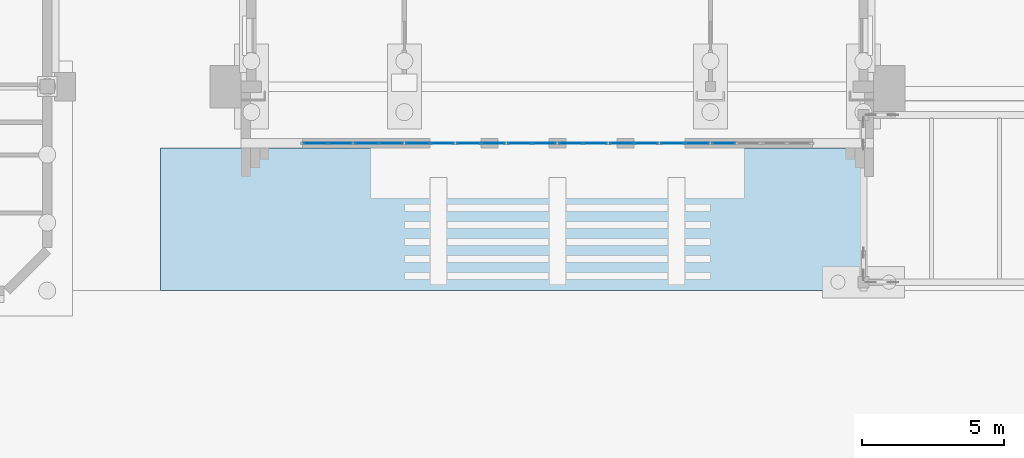
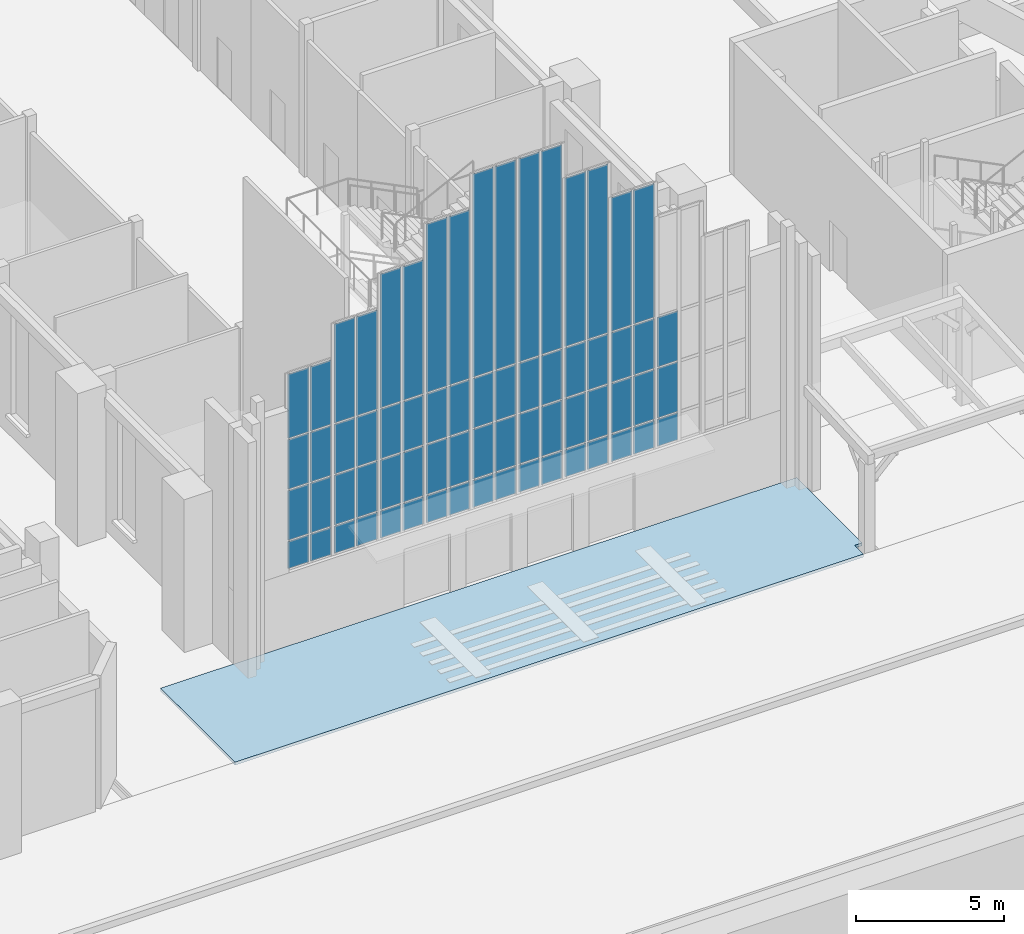
# One storey, part 22 of 84: 67 plates, 1 slab, 9 elements without a shape of their own.
"""IFC4 building model written with IfcOpenShell, lengths in metres."""

from ifc_helpers import new_model, si_unit, direction, frame, origin, origin_2d, place, context, subcontext, project, spatial, polyline, rectangle, outline, extrude, material, layer, layer_set, type_object, element, aggregate, save


model = new_model("IFC4")

# Units and contexts
model_context = context("Model", 3, precision=1e-05, world=origin(), true_north=direction((0.0, 1.0)))
body_context = subcontext(model_context, "Body", "Model", "MODEL_VIEW")
ifc_project = project(units=[si_unit("LENGTHUNIT", "METRE"), si_unit("AREAUNIT", "SQUARE_METRE"), si_unit("VOLUMEUNIT", "CUBIC_METRE"), si_unit("PLANEANGLEUNIT", "RADIAN"), si_unit("MASSUNIT", "GRAM", prefix="KILO")], contexts=[model_context])

# Site, building, storey
site_placement = place(None, origin())
site = spatial("IfcSite", under=ifc_project, at=site_placement, CompositionType="ELEMENT")
building_placement = place(site_placement, origin())
building = spatial("IfcBuilding", under=site, at=building_placement, Name="Mazhai Court Health Centre", CompositionType="ELEMENT")
storey_placement = place(building_placement, origin())
storey = spatial("IfcBuildingStorey", under=building, at=storey_placement, Name="L00", CompositionType="ELEMENT", Elevation=0.0)

# Curtain wall, plates
ifc_material_1 = material(Name="Teak timber frame, glazed", Category="wood")
ifc_layer_1 = layer(ifc_material_1, 0.10009765625)
ifc_layer_set_1 = layer_set([ifc_layer_1], Name="CURTAIN WALL TIMBER 900")
curtain_wall_type = type_object("IfcCurtainWallType", Name="CURTAIN WALL TIMBER 900", PredefinedType="NOTDEFINED", material=ifc_layer_set_1)
curtain_wall_1_placement = place(storey_placement, origin())
curtain_wall_1 = element("IfcCurtainWall", 1, at=curtain_wall_1_placement, inside=storey, type_object=curtain_wall_type, Name="CW-V1-S01", PredefinedType="NOTDEFINED")
ifc_material_2 = material(Name="Glass IGU 28 mm", Category="glass")
ifc_layer_2 = layer(ifc_material_2, 0.028076171875)
ifc_layer_set_2 = layer_set([ifc_layer_2], Name="CW PANEL IGU 28")
plate_type_1 = type_object("IfcPlateType", Name="CW PANEL IGU 28", PredefinedType="CURTAIN_PANEL", material=ifc_layer_set_2)
plate_1_placement = place(storey_placement, frame((45.3349609375, 11.39990234375, 4.22998046875), z_axis=(0.0, 0.0, 1.0), x_axis=(-1.0, 0.0, 0.0)))
plate_1 = element("IfcPlate", 2, at=plate_1_placement, type_object=plate_type_1, Name="CW panel 1.2", PredefinedType="CURTAIN_PANEL", context=body_context, shape_type="SweptSolid", body=[
    extrude(rectangle(XDim=0.81005859375, YDim=0.028076171875, at=origin_2d()), origin(), (0.0, 0.0, 1.0), 2.0400390625),
])
plate_2_placement = place(storey_placement, frame((45.3349609375, 11.39990234375, 6.330078125), z_axis=(0.0, 0.0, 1.0), x_axis=(-1.0, 0.0, 0.0)))
plate_2 = element("IfcPlate", 3, at=plate_2_placement, type_object=plate_type_1, Name="CW panel 1.3", PredefinedType="CURTAIN_PANEL", context=body_context, shape_type="SweptSolid", body=[
    extrude(rectangle(XDim=0.81005859375, YDim=0.028076171875, at=origin_2d()), origin(), (0.0, 0.0, 1.0), 2.0400390625),
])
plate_3_placement = place(storey_placement, frame((45.3349609375, 11.39990234375, 8.429931640625), z_axis=(0.0, 0.0, 1.0), x_axis=(-1.0, 0.0, 0.0)))
plate_3 = element("IfcPlate", 4, at=plate_3_placement, type_object=plate_type_1, Name="CW panel 1.4", PredefinedType="CURTAIN_PANEL", context=body_context, shape_type="SweptSolid", body=[
    extrude(rectangle(XDim=0.81005859375, YDim=0.028076171875, at=origin_2d()), origin(), (0.0, 0.0, 1.0), 2.64306640625),
])
plate_4_placement = place(storey_placement, frame((44.465087890625, 11.39990234375, 4.22998046875), z_axis=(0.0, 0.0, 1.0), x_axis=(-1.0, 0.0, 0.0)))
plate_4 = element("IfcPlate", 5, at=plate_4_placement, type_object=plate_type_1, Name="CW panel 2.2", PredefinedType="CURTAIN_PANEL", context=body_context, shape_type="SweptSolid", body=[
    extrude(rectangle(XDim=0.81005859375, YDim=0.028076171875, at=origin_2d()), origin(), (0.0, 0.0, 1.0), 2.0400390625),
])
plate_5_placement = place(storey_placement, frame((44.465087890625, 11.39990234375, 6.330078125), z_axis=(0.0, 0.0, 1.0), x_axis=(-1.0, 0.0, 0.0)))
plate_5 = element("IfcPlate", 6, at=plate_5_placement, type_object=plate_type_1, Name="CW panel 2.3", PredefinedType="CURTAIN_PANEL", context=body_context, shape_type="SweptSolid", body=[
    extrude(rectangle(XDim=0.81005859375, YDim=0.028076171875, at=origin_2d()), origin(), (0.0, 0.0, 1.0), 2.0400390625),
])
plate_6_placement = place(storey_placement, frame((44.465087890625, 11.39990234375, 8.429931640625), z_axis=(0.0, 0.0, 1.0), x_axis=(-1.0, 0.0, 0.0)))
plate_6 = element("IfcPlate", 7, at=plate_6_placement, type_object=plate_type_1, Name="CW panel 2.4", PredefinedType="CURTAIN_PANEL", context=body_context, shape_type="SweptSolid", body=[
    extrude(rectangle(XDim=0.81005859375, YDim=0.028076171875, at=origin_2d()), origin(), (0.0, 0.0, 1.0), 2.64306640625),
])

curtain_wall_2_placement = place(storey_placement, origin())
curtain_wall_2 = element("IfcCurtainWall", 8, at=curtain_wall_2_placement, inside=storey, type_object=curtain_wall_type, Name="CW-V1-S02", PredefinedType="NOTDEFINED")
plate_7_placement = place(storey_placement, frame((47.135009765625, 11.39990234375, 4.22998046875), z_axis=(0.0, 0.0, 1.0), x_axis=(-1.0, 0.0, 0.0)))
plate_7 = element("IfcPlate", 9, at=plate_7_placement, type_object=plate_type_1, Name="CW panel 1.2", PredefinedType="CURTAIN_PANEL", context=body_context, shape_type="SweptSolid", body=[
    extrude(rectangle(XDim=0.81005859375, YDim=0.028076171875, at=origin_2d()), origin(), (0.0, 0.0, 1.0), 2.0400390625),
])
plate_8_placement = place(storey_placement, frame((47.135009765625, 11.39990234375, 6.330078125), z_axis=(0.0, 0.0, 1.0), x_axis=(-1.0, 0.0, 0.0)))
plate_8 = element("IfcPlate", 10, at=plate_8_placement, type_object=plate_type_1, Name="CW panel 1.3", PredefinedType="CURTAIN_PANEL", context=body_context, shape_type="SweptSolid", body=[
    extrude(rectangle(XDim=0.81005859375, YDim=0.028076171875, at=origin_2d()), origin(), (0.0, 0.0, 1.0), 2.0400390625),
])
plate_9_placement = place(storey_placement, frame((47.135009765625, 11.39990234375, 8.43017578125), z_axis=(0.0, 0.0, 1.0), x_axis=(-1.0, 0.0, 0.0)))
plate_9 = element("IfcPlate", 11, at=plate_9_placement, type_object=plate_type_1, Name="CW panel 1.4", PredefinedType="CURTAIN_PANEL", context=body_context, shape_type="SweptSolid", body=[
    extrude(rectangle(XDim=0.81005859375, YDim=0.028076171875, at=origin_2d()), origin(), (0.0, 0.0, 1.0), 4.076904296875),
])
plate_10_placement = place(storey_placement, frame((46.264892578125, 11.39990234375, 4.22998046875), z_axis=(0.0, 0.0, 1.0), x_axis=(-1.0, 0.0, 0.0)))
plate_10 = element("IfcPlate", 12, at=plate_10_placement, type_object=plate_type_1, Name="CW panel 2.2", PredefinedType="CURTAIN_PANEL", context=body_context, shape_type="SweptSolid", body=[
    extrude(rectangle(XDim=0.81005859375, YDim=0.028076171875, at=origin_2d()), origin(), (0.0, 0.0, 1.0), 2.0400390625),
])
plate_11_placement = place(storey_placement, frame((46.264892578125, 11.39990234375, 6.330078125), z_axis=(0.0, 0.0, 1.0), x_axis=(-1.0, 0.0, 0.0)))
plate_11 = element("IfcPlate", 13, at=plate_11_placement, type_object=plate_type_1, Name="CW panel 2.3", PredefinedType="CURTAIN_PANEL", context=body_context, shape_type="SweptSolid", body=[
    extrude(rectangle(XDim=0.81005859375, YDim=0.028076171875, at=origin_2d()), origin(), (0.0, 0.0, 1.0), 2.0400390625),
])
plate_12_placement = place(storey_placement, frame((46.264892578125, 11.39990234375, 8.43017578125), z_axis=(0.0, 0.0, 1.0), x_axis=(-1.0, 0.0, 0.0)))
plate_12 = element("IfcPlate", 14, at=plate_12_placement, type_object=plate_type_1, Name="CW panel 2.4", PredefinedType="CURTAIN_PANEL", context=body_context, shape_type="SweptSolid", body=[
    extrude(rectangle(XDim=0.81005859375, YDim=0.028076171875, at=origin_2d()), origin(), (0.0, 0.0, 1.0), 4.076904296875),
])

curtain_wall_3_placement = place(storey_placement, origin())
curtain_wall_3 = element("IfcCurtainWall", 15, at=curtain_wall_3_placement, inside=storey, type_object=curtain_wall_type, Name="CW-V1-S03", PredefinedType="NOTDEFINED")
plate_13_placement = place(storey_placement, frame((48.93505859375, 11.39990234375, 4.22998046875), z_axis=(0.0, 0.0, 1.0), x_axis=(-1.0, 0.0, 0.0)))
plate_13 = element("IfcPlate", 16, at=plate_13_placement, type_object=plate_type_1, Name="CW panel 1.2", PredefinedType="CURTAIN_PANEL", context=body_context, shape_type="SweptSolid", body=[
    extrude(rectangle(XDim=0.81005859375, YDim=0.028076171875, at=origin_2d()), origin(), (0.0, 0.0, 1.0), 2.0400390625),
])
plate_14_placement = place(storey_placement, frame((48.93505859375, 11.39990234375, 6.330078125), z_axis=(0.0, 0.0, 1.0), x_axis=(-1.0, 0.0, 0.0)))
plate_14 = element("IfcPlate", 17, at=plate_14_placement, type_object=plate_type_1, Name="CW panel 1.3", PredefinedType="CURTAIN_PANEL", context=body_context, shape_type="SweptSolid", body=[
    extrude(rectangle(XDim=0.81005859375, YDim=0.028076171875, at=origin_2d()), origin(), (0.0, 0.0, 1.0), 2.0400390625),
])
plate_15_placement = place(storey_placement, frame((48.93505859375, 11.39990234375, 8.43017578125), z_axis=(0.0, 0.0, 1.0), x_axis=(-1.0, 0.0, 0.0)))
plate_15 = element("IfcPlate", 18, at=plate_15_placement, type_object=plate_type_1, Name="CW panel 1.4", PredefinedType="CURTAIN_PANEL", context=body_context, shape_type="SweptSolid", body=[
    extrude(rectangle(XDim=0.81005859375, YDim=0.028076171875, at=origin_2d()), origin(), (0.0, 0.0, 1.0), 5.510009765625),
])
plate_16_placement = place(storey_placement, frame((48.06494140625, 11.39990234375, 4.22998046875), z_axis=(0.0, 0.0, 1.0), x_axis=(-1.0, 0.0, 0.0)))
plate_16 = element("IfcPlate", 19, at=plate_16_placement, type_object=plate_type_1, Name="CW panel 2.2", PredefinedType="CURTAIN_PANEL", context=body_context, shape_type="SweptSolid", body=[
    extrude(rectangle(XDim=0.81005859375, YDim=0.028076171875, at=origin_2d()), origin(), (0.0, 0.0, 1.0), 2.0400390625),
])
plate_17_placement = place(storey_placement, frame((48.06494140625, 11.39990234375, 6.330078125), z_axis=(0.0, 0.0, 1.0), x_axis=(-1.0, 0.0, 0.0)))
plate_17 = element("IfcPlate", 20, at=plate_17_placement, type_object=plate_type_1, Name="CW panel 2.3", PredefinedType="CURTAIN_PANEL", context=body_context, shape_type="SweptSolid", body=[
    extrude(rectangle(XDim=0.81005859375, YDim=0.028076171875, at=origin_2d()), origin(), (0.0, 0.0, 1.0), 2.0400390625),
])
plate_18_placement = place(storey_placement, frame((48.06494140625, 11.39990234375, 8.43017578125), z_axis=(0.0, 0.0, 1.0), x_axis=(-1.0, 0.0, 0.0)))
plate_18 = element("IfcPlate", 21, at=plate_18_placement, type_object=plate_type_1, Name="CW panel 2.4", PredefinedType="CURTAIN_PANEL", context=body_context, shape_type="SweptSolid", body=[
    extrude(rectangle(XDim=0.81005859375, YDim=0.028076171875, at=origin_2d()), origin(), (0.0, 0.0, 1.0), 5.510009765625),
])

curtain_wall_4_placement = place(storey_placement, origin())
curtain_wall_4 = element("IfcCurtainWall", 22, at=curtain_wall_4_placement, inside=storey, type_object=curtain_wall_type, Name="CW-V1-S04", PredefinedType="NOTDEFINED")
plate_19_placement = place(storey_placement, frame((50.735107421875, 11.39990234375, 4.22998046875), z_axis=(0.0, 0.0, 1.0), x_axis=(-1.0, 0.0, 0.0)))
plate_19 = element("IfcPlate", 23, at=plate_19_placement, type_object=plate_type_1, Name="CW panel 1.2", PredefinedType="CURTAIN_PANEL", context=body_context, shape_type="SweptSolid", body=[
    extrude(rectangle(XDim=0.81005859375, YDim=0.028076171875, at=origin_2d()), origin(), (0.0, 0.0, 1.0), 2.0400390625),
])
plate_20_placement = place(storey_placement, frame((50.735107421875, 11.39990234375, 6.330078125), z_axis=(0.0, 0.0, 1.0), x_axis=(-1.0, 0.0, 0.0)))
plate_20 = element("IfcPlate", 24, at=plate_20_placement, type_object=plate_type_1, Name="CW panel 1.3", PredefinedType="CURTAIN_PANEL", context=body_context, shape_type="SweptSolid", body=[
    extrude(rectangle(XDim=0.81005859375, YDim=0.028076171875, at=origin_2d()), origin(), (0.0, 0.0, 1.0), 2.0400390625),
])
plate_21_placement = place(storey_placement, frame((50.735107421875, 11.39990234375, 8.43017578125), z_axis=(0.0, 0.0, 1.0), x_axis=(-1.0, 0.0, 0.0)))
plate_21 = element("IfcPlate", 25, at=plate_21_placement, type_object=plate_type_1, Name="CW panel 1.4", PredefinedType="CURTAIN_PANEL", context=body_context, shape_type="SweptSolid", body=[
    extrude(rectangle(XDim=0.81005859375, YDim=0.028076171875, at=origin_2d()), origin(), (0.0, 0.0, 1.0), 6.943115234375),
])
plate_22_placement = place(storey_placement, frame((49.864990234375, 11.39990234375, 4.22998046875), z_axis=(0.0, 0.0, 1.0), x_axis=(-1.0, 0.0, 0.0)))
plate_22 = element("IfcPlate", 26, at=plate_22_placement, type_object=plate_type_1, Name="CW panel 2.2", PredefinedType="CURTAIN_PANEL", context=body_context, shape_type="SweptSolid", body=[
    extrude(rectangle(XDim=0.81005859375, YDim=0.028076171875, at=origin_2d()), origin(), (0.0, 0.0, 1.0), 2.0400390625),
])
plate_23_placement = place(storey_placement, frame((49.864990234375, 11.39990234375, 6.330078125), z_axis=(0.0, 0.0, 1.0), x_axis=(-1.0, 0.0, 0.0)))
plate_23 = element("IfcPlate", 27, at=plate_23_placement, type_object=plate_type_1, Name="CW panel 2.3", PredefinedType="CURTAIN_PANEL", context=body_context, shape_type="SweptSolid", body=[
    extrude(rectangle(XDim=0.81005859375, YDim=0.028076171875, at=origin_2d()), origin(), (0.0, 0.0, 1.0), 2.0400390625),
])
plate_24_placement = place(storey_placement, frame((49.864990234375, 11.39990234375, 8.43017578125), z_axis=(0.0, 0.0, 1.0), x_axis=(-1.0, 0.0, 0.0)))
plate_24 = element("IfcPlate", 28, at=plate_24_placement, type_object=plate_type_1, Name="CW panel 2.4", PredefinedType="CURTAIN_PANEL", context=body_context, shape_type="SweptSolid", body=[
    extrude(rectangle(XDim=0.81005859375, YDim=0.028076171875, at=origin_2d()), origin(), (0.0, 0.0, 1.0), 6.943115234375),
])

curtain_wall_5_placement = place(storey_placement, origin())
curtain_wall_5 = element("IfcCurtainWall", 29, at=curtain_wall_5_placement, inside=storey, type_object=curtain_wall_type, Name="CW-V1-S05", PredefinedType="NOTDEFINED")
plate_25_placement = place(storey_placement, frame((52.534912109375, 11.39990234375, 4.22998046875), z_axis=(0.0, 0.0, 1.0), x_axis=(-1.0, 0.0, 0.0)))
plate_25 = element("IfcPlate", 30, at=plate_25_placement, type_object=plate_type_1, Name="CW panel 1.2", PredefinedType="CURTAIN_PANEL", context=body_context, shape_type="SweptSolid", body=[
    extrude(rectangle(XDim=0.81005859375, YDim=0.028076171875, at=origin_2d()), origin(), (0.0, 0.0, 1.0), 2.0400390625),
])
plate_26_placement = place(storey_placement, frame((52.534912109375, 11.39990234375, 6.330078125), z_axis=(0.0, 0.0, 1.0), x_axis=(-1.0, 0.0, 0.0)))
plate_26 = element("IfcPlate", 31, at=plate_26_placement, type_object=plate_type_1, Name="CW panel 1.3", PredefinedType="CURTAIN_PANEL", context=body_context, shape_type="SweptSolid", body=[
    extrude(rectangle(XDim=0.81005859375, YDim=0.028076171875, at=origin_2d()), origin(), (0.0, 0.0, 1.0), 2.0400390625),
])
plate_27_placement = place(storey_placement, frame((52.534912109375, 11.39990234375, 8.429931640625), z_axis=(0.0, 0.0, 1.0), x_axis=(-1.0, 0.0, 0.0)))
plate_27 = element("IfcPlate", 32, at=plate_27_placement, type_object=plate_type_1, Name="CW panel 1.4", PredefinedType="CURTAIN_PANEL", context=body_context, shape_type="SweptSolid", body=[
    extrude(rectangle(XDim=0.81005859375, YDim=0.028076171875, at=origin_2d()), origin(), (0.0, 0.0, 1.0), 8.376953125),
])
plate_28_placement = place(storey_placement, frame((51.6650390625, 11.39990234375, 4.22998046875), z_axis=(0.0, 0.0, 1.0), x_axis=(-1.0, 0.0, 0.0)))
plate_28 = element("IfcPlate", 33, at=plate_28_placement, type_object=plate_type_1, Name="CW panel 2.2", PredefinedType="CURTAIN_PANEL", context=body_context, shape_type="SweptSolid", body=[
    extrude(rectangle(XDim=0.81005859375, YDim=0.028076171875, at=origin_2d()), origin(), (0.0, 0.0, 1.0), 2.0400390625),
])
plate_29_placement = place(storey_placement, frame((51.6650390625, 11.39990234375, 6.330078125), z_axis=(0.0, 0.0, 1.0), x_axis=(-1.0, 0.0, 0.0)))
plate_29 = element("IfcPlate", 34, at=plate_29_placement, type_object=plate_type_1, Name="CW panel 2.3", PredefinedType="CURTAIN_PANEL", context=body_context, shape_type="SweptSolid", body=[
    extrude(rectangle(XDim=0.81005859375, YDim=0.028076171875, at=origin_2d()), origin(), (0.0, 0.0, 1.0), 2.0400390625),
])
plate_30_placement = place(storey_placement, frame((51.6650390625, 11.39990234375, 8.429931640625), z_axis=(0.0, 0.0, 1.0), x_axis=(-1.0, 0.0, 0.0)))
plate_30 = element("IfcPlate", 35, at=plate_30_placement, type_object=plate_type_1, Name="CW panel 2.4", PredefinedType="CURTAIN_PANEL", context=body_context, shape_type="SweptSolid", body=[
    extrude(rectangle(XDim=0.81005859375, YDim=0.028076171875, at=origin_2d()), origin(), (0.0, 0.0, 1.0), 8.376953125),
])

curtain_wall_6_placement = place(storey_placement, origin())
curtain_wall_6 = element("IfcCurtainWall", 36, at=curtain_wall_6_placement, inside=storey, type_object=curtain_wall_type, Name="CW-V1-S06", PredefinedType="NOTDEFINED")
plate_31_placement = place(storey_placement, frame((54.3349609375, 11.39990234375, 4.22998046875), z_axis=(0.0, 0.0, 1.0), x_axis=(-1.0, 0.0, 0.0)))
plate_31 = element("IfcPlate", 37, at=plate_31_placement, type_object=plate_type_1, Name="CW panel 1.2", PredefinedType="CURTAIN_PANEL", context=body_context, shape_type="SweptSolid", body=[
    extrude(rectangle(XDim=0.81005859375, YDim=0.028076171875, at=origin_2d()), origin(), (0.0, 0.0, 1.0), 2.0400390625),
])
plate_32_placement = place(storey_placement, frame((54.3349609375, 11.39990234375, 6.330078125), z_axis=(0.0, 0.0, 1.0), x_axis=(-1.0, 0.0, 0.0)))
plate_32 = element("IfcPlate", 38, at=plate_32_placement, type_object=plate_type_1, Name="CW panel 1.3", PredefinedType="CURTAIN_PANEL", context=body_context, shape_type="SweptSolid", body=[
    extrude(rectangle(XDim=0.81005859375, YDim=0.028076171875, at=origin_2d()), origin(), (0.0, 0.0, 1.0), 2.0400390625),
])
plate_33_placement = place(storey_placement, frame((54.3349609375, 11.39990234375, 8.429931640625), z_axis=(0.0, 0.0, 1.0), x_axis=(-1.0, 0.0, 0.0)))
plate_33 = element("IfcPlate", 39, at=plate_33_placement, type_object=plate_type_1, Name="CW panel 1.4", PredefinedType="CURTAIN_PANEL", context=body_context, shape_type="SweptSolid", body=[
    extrude(rectangle(XDim=0.81005859375, YDim=0.028076171875, at=origin_2d()), origin(), (0.0, 0.0, 1.0), 8.376953125),
])
plate_34_placement = place(storey_placement, frame((53.465087890625, 11.39990234375, 4.22998046875), z_axis=(0.0, 0.0, 1.0), x_axis=(-1.0, 0.0, 0.0)))
plate_34 = element("IfcPlate", 40, at=plate_34_placement, type_object=plate_type_1, Name="CW panel 2.2", PredefinedType="CURTAIN_PANEL", context=body_context, shape_type="SweptSolid", body=[
    extrude(rectangle(XDim=0.81005859375, YDim=0.028076171875, at=origin_2d()), origin(), (0.0, 0.0, 1.0), 2.0400390625),
])
plate_35_placement = place(storey_placement, frame((53.465087890625, 11.39990234375, 6.330078125), z_axis=(0.0, 0.0, 1.0), x_axis=(-1.0, 0.0, 0.0)))
plate_35 = element("IfcPlate", 41, at=plate_35_placement, type_object=plate_type_1, Name="CW panel 2.3", PredefinedType="CURTAIN_PANEL", context=body_context, shape_type="SweptSolid", body=[
    extrude(rectangle(XDim=0.81005859375, YDim=0.028076171875, at=origin_2d()), origin(), (0.0, 0.0, 1.0), 2.0400390625),
])
plate_36_placement = place(storey_placement, frame((53.465087890625, 11.39990234375, 8.429931640625), z_axis=(0.0, 0.0, 1.0), x_axis=(-1.0, 0.0, 0.0)))
plate_36 = element("IfcPlate", 42, at=plate_36_placement, type_object=plate_type_1, Name="CW panel 2.4", PredefinedType="CURTAIN_PANEL", context=body_context, shape_type="SweptSolid", body=[
    extrude(rectangle(XDim=0.81005859375, YDim=0.028076171875, at=origin_2d()), origin(), (0.0, 0.0, 1.0), 8.376953125),
])

curtain_wall_7_placement = place(storey_placement, origin())
curtain_wall_7 = element("IfcCurtainWall", 43, at=curtain_wall_7_placement, inside=storey, type_object=curtain_wall_type, Name="CW-V1-S07", PredefinedType="NOTDEFINED")
plate_37_placement = place(storey_placement, frame((56.135009765625, 11.39990234375, 4.22998046875), z_axis=(0.0, 0.0, 1.0), x_axis=(-1.0, 0.0, 0.0)))
plate_37 = element("IfcPlate", 44, at=plate_37_placement, type_object=plate_type_1, Name="CW panel 1.2", PredefinedType="CURTAIN_PANEL", context=body_context, shape_type="SweptSolid", body=[
    extrude(rectangle(XDim=0.81005859375, YDim=0.028076171875, at=origin_2d()), origin(), (0.0, 0.0, 1.0), 2.0400390625),
])
plate_38_placement = place(storey_placement, frame((56.135009765625, 11.39990234375, 6.330078125), z_axis=(0.0, 0.0, 1.0), x_axis=(-1.0, 0.0, 0.0)))
plate_38 = element("IfcPlate", 45, at=plate_38_placement, type_object=plate_type_1, Name="CW panel 1.3", PredefinedType="CURTAIN_PANEL", context=body_context, shape_type="SweptSolid", body=[
    extrude(rectangle(XDim=0.81005859375, YDim=0.028076171875, at=origin_2d()), origin(), (0.0, 0.0, 1.0), 2.0400390625),
])
plate_39_placement = place(storey_placement, frame((56.135009765625, 11.39990234375, 8.43017578125), z_axis=(0.0, 0.0, 1.0), x_axis=(-1.0, 0.0, 0.0)))
plate_39 = element("IfcPlate", 46, at=plate_39_placement, type_object=plate_type_1, Name="CW panel 1.4", PredefinedType="CURTAIN_PANEL", context=body_context, shape_type="SweptSolid", body=[
    extrude(rectangle(XDim=0.81005859375, YDim=0.028076171875, at=origin_2d()), origin(), (0.0, 0.0, 1.0), 6.943115234375),
])
plate_40_placement = place(storey_placement, frame((55.264892578125, 11.39990234375, 4.22998046875), z_axis=(0.0, 0.0, 1.0), x_axis=(-1.0, 0.0, 0.0)))
plate_40 = element("IfcPlate", 47, at=plate_40_placement, type_object=plate_type_1, Name="CW panel 2.2", PredefinedType="CURTAIN_PANEL", context=body_context, shape_type="SweptSolid", body=[
    extrude(rectangle(XDim=0.81005859375, YDim=0.028076171875, at=origin_2d()), origin(), (0.0, 0.0, 1.0), 2.0400390625),
])
plate_41_placement = place(storey_placement, frame((55.264892578125, 11.39990234375, 6.330078125), z_axis=(0.0, 0.0, 1.0), x_axis=(-1.0, 0.0, 0.0)))
plate_41 = element("IfcPlate", 48, at=plate_41_placement, type_object=plate_type_1, Name="CW panel 2.3", PredefinedType="CURTAIN_PANEL", context=body_context, shape_type="SweptSolid", body=[
    extrude(rectangle(XDim=0.81005859375, YDim=0.028076171875, at=origin_2d()), origin(), (0.0, 0.0, 1.0), 2.0400390625),
])
plate_42_placement = place(storey_placement, frame((55.264892578125, 11.39990234375, 8.43017578125), z_axis=(0.0, 0.0, 1.0), x_axis=(-1.0, 0.0, 0.0)))
plate_42 = element("IfcPlate", 49, at=plate_42_placement, type_object=plate_type_1, Name="CW panel 2.4", PredefinedType="CURTAIN_PANEL", context=body_context, shape_type="SweptSolid", body=[
    extrude(rectangle(XDim=0.81005859375, YDim=0.028076171875, at=origin_2d()), origin(), (0.0, 0.0, 1.0), 6.943115234375),
])

curtain_wall_8_placement = place(storey_placement, origin())
curtain_wall_8 = element("IfcCurtainWall", 50, at=curtain_wall_8_placement, inside=storey, type_object=curtain_wall_type, Name="CW-V1-S08", PredefinedType="NOTDEFINED")
plate_43_placement = place(storey_placement, frame((57.93505859375, 11.39990234375, 4.22998046875), z_axis=(0.0, 0.0, 1.0), x_axis=(-1.0, 0.0, 0.0)))
plate_43 = element("IfcPlate", 51, at=plate_43_placement, type_object=plate_type_1, Name="CW panel 1.2", PredefinedType="CURTAIN_PANEL", context=body_context, shape_type="SweptSolid", body=[
    extrude(rectangle(XDim=0.81005859375, YDim=0.028076171875, at=origin_2d()), origin(), (0.0, 0.0, 1.0), 2.0400390625),
])
plate_44_placement = place(storey_placement, frame((57.93505859375, 11.39990234375, 6.330078125), z_axis=(0.0, 0.0, 1.0), x_axis=(-1.0, 0.0, 0.0)))
plate_44 = element("IfcPlate", 52, at=plate_44_placement, type_object=plate_type_1, Name="CW panel 1.3", PredefinedType="CURTAIN_PANEL", context=body_context, shape_type="SweptSolid", body=[
    extrude(rectangle(XDim=0.81005859375, YDim=0.028076171875, at=origin_2d()), origin(), (0.0, 0.0, 1.0), 2.0400390625),
])
plate_45_placement = place(storey_placement, frame((57.93505859375, 11.39990234375, 8.43017578125), z_axis=(0.0, 0.0, 1.0), x_axis=(-1.0, 0.0, 0.0)))
plate_45 = element("IfcPlate", 53, at=plate_45_placement, type_object=plate_type_1, Name="CW panel 1.4", PredefinedType="CURTAIN_PANEL", context=body_context, shape_type="SweptSolid", body=[
    extrude(rectangle(XDim=0.81005859375, YDim=0.028076171875, at=origin_2d()), origin(), (0.0, 0.0, 1.0), 5.510009765625),
])
plate_46_placement = place(storey_placement, frame((57.06494140625, 11.39990234375, 4.22998046875), z_axis=(0.0, 0.0, 1.0), x_axis=(-1.0, 0.0, 0.0)))
plate_46 = element("IfcPlate", 54, at=plate_46_placement, type_object=plate_type_1, Name="CW panel 2.2", PredefinedType="CURTAIN_PANEL", context=body_context, shape_type="SweptSolid", body=[
    extrude(rectangle(XDim=0.81005859375, YDim=0.028076171875, at=origin_2d()), origin(), (0.0, 0.0, 1.0), 2.0400390625),
])
plate_47_placement = place(storey_placement, frame((57.06494140625, 11.39990234375, 6.330078125), z_axis=(0.0, 0.0, 1.0), x_axis=(-1.0, 0.0, 0.0)))
plate_47 = element("IfcPlate", 55, at=plate_47_placement, type_object=plate_type_1, Name="CW panel 2.3", PredefinedType="CURTAIN_PANEL", context=body_context, shape_type="SweptSolid", body=[
    extrude(rectangle(XDim=0.81005859375, YDim=0.028076171875, at=origin_2d()), origin(), (0.0, 0.0, 1.0), 2.0400390625),
])
plate_48_placement = place(storey_placement, frame((57.06494140625, 11.39990234375, 8.43017578125), z_axis=(0.0, 0.0, 1.0), x_axis=(-1.0, 0.0, 0.0)))
plate_48 = element("IfcPlate", 56, at=plate_48_placement, type_object=plate_type_1, Name="CW panel 2.4", PredefinedType="CURTAIN_PANEL", context=body_context, shape_type="SweptSolid", body=[
    extrude(rectangle(XDim=0.81005859375, YDim=0.028076171875, at=origin_2d()), origin(), (0.0, 0.0, 1.0), 5.510009765625),
])

curtain_wall_9_placement = place(storey_placement, origin())
curtain_wall_9 = element("IfcCurtainWall", 57, at=curtain_wall_9_placement, inside=storey, type_object=curtain_wall_type, Name="CW-V1-S09", PredefinedType="NOTDEFINED")
plate_49_placement = place(storey_placement, frame((58.864990234375, 11.39990234375, 4.22998046875), z_axis=(0.0, 0.0, 1.0), x_axis=(-1.0, 0.0, 0.0)))
plate_49 = element("IfcPlate", 58, at=plate_49_placement, type_object=plate_type_1, Name="CW panel 2.2", PredefinedType="CURTAIN_PANEL", context=body_context, shape_type="SweptSolid", body=[
    extrude(rectangle(XDim=0.81005859375, YDim=0.028076171875, at=origin_2d()), origin(), (0.0, 0.0, 1.0), 2.0400390625),
])
plate_50_placement = place(storey_placement, frame((58.864990234375, 11.39990234375, 6.330078125), z_axis=(0.0, 0.0, 1.0), x_axis=(-1.0, 0.0, 0.0)))
plate_50 = element("IfcPlate", 59, at=plate_50_placement, type_object=plate_type_1, Name="CW panel 2.3", PredefinedType="CURTAIN_PANEL", context=body_context, shape_type="SweptSolid", body=[
    extrude(rectangle(XDim=0.81005859375, YDim=0.028076171875, at=origin_2d()), origin(), (0.0, 0.0, 1.0), 2.0400390625),
])

# Plate
ifc_material_3 = material(Name="Insulated spandrel panel", Category="other")
ifc_layer_3 = layer(ifc_material_3, 0.028076171875)
ifc_layer_set_3 = layer_set([ifc_layer_3], Name="CW PANEL SPANDREL 28")
plate_type_2 = type_object("IfcPlateType", Name="CW PANEL SPANDREL 28", PredefinedType="CURTAIN_PANEL", material=ifc_layer_set_3)
plate_51_placement = place(storey_placement, frame((45.3349609375, 11.39990234375, 3.06005859375), z_axis=(0.0, 0.0, 1.0), x_axis=(-1.0, 0.0, 0.0)))
plate_51 = element("IfcPlate", 60, at=plate_51_placement, type_object=plate_type_2, Name="CW panel 1.1", PredefinedType="CURTAIN_PANEL", context=body_context, shape_type="SweptSolid", body=[
    extrude(rectangle(XDim=0.81005859375, YDim=0.028076171875, at=origin_2d()), origin(), (0.0, 0.0, 1.0), 1.110107421875),
])

plate_52_placement = place(storey_placement, frame((44.465087890625, 11.39990234375, 3.06005859375), z_axis=(0.0, 0.0, 1.0), x_axis=(-1.0, 0.0, 0.0)))
plate_52 = element("IfcPlate", 61, at=plate_52_placement, type_object=plate_type_2, Name="CW panel 2.1", PredefinedType="CURTAIN_PANEL", context=body_context, shape_type="SweptSolid", body=[
    extrude(rectangle(XDim=0.81005859375, YDim=0.028076171875, at=origin_2d()), origin(), (0.0, 0.0, 1.0), 1.110107421875),
])

aggregate(curtain_wall_1, [plate_51, plate_1, plate_2, plate_3, plate_52, plate_4, plate_5, plate_6])

plate_53_placement = place(storey_placement, frame((47.135009765625, 11.39990234375, 3.06005859375), z_axis=(0.0, 0.0, 1.0), x_axis=(-1.0, 0.0, 0.0)))
plate_53 = element("IfcPlate", 62, at=plate_53_placement, type_object=plate_type_2, Name="CW panel 1.1", PredefinedType="CURTAIN_PANEL", context=body_context, shape_type="SweptSolid", body=[
    extrude(rectangle(XDim=0.81005859375, YDim=0.028076171875, at=origin_2d()), origin(), (0.0, 0.0, 1.0), 1.110107421875),
])

plate_54_placement = place(storey_placement, frame((46.264892578125, 11.39990234375, 3.06005859375), z_axis=(0.0, 0.0, 1.0), x_axis=(-1.0, 0.0, 0.0)))
plate_54 = element("IfcPlate", 63, at=plate_54_placement, type_object=plate_type_2, Name="CW panel 2.1", PredefinedType="CURTAIN_PANEL", context=body_context, shape_type="SweptSolid", body=[
    extrude(rectangle(XDim=0.81005859375, YDim=0.028076171875, at=origin_2d()), origin(), (0.0, 0.0, 1.0), 1.110107421875),
])

aggregate(curtain_wall_2, [plate_53, plate_7, plate_8, plate_9, plate_54, plate_10, plate_11, plate_12])

plate_55_placement = place(storey_placement, frame((48.93505859375, 11.39990234375, 3.06005859375), z_axis=(0.0, 0.0, 1.0), x_axis=(-1.0, 0.0, 0.0)))
plate_55 = element("IfcPlate", 64, at=plate_55_placement, type_object=plate_type_2, Name="CW panel 1.1", PredefinedType="CURTAIN_PANEL", context=body_context, shape_type="SweptSolid", body=[
    extrude(rectangle(XDim=0.81005859375, YDim=0.028076171875, at=origin_2d()), origin(), (0.0, 0.0, 1.0), 1.110107421875),
])

plate_56_placement = place(storey_placement, frame((48.06494140625, 11.39990234375, 3.06005859375), z_axis=(0.0, 0.0, 1.0), x_axis=(-1.0, 0.0, 0.0)))
plate_56 = element("IfcPlate", 65, at=plate_56_placement, type_object=plate_type_2, Name="CW panel 2.1", PredefinedType="CURTAIN_PANEL", context=body_context, shape_type="SweptSolid", body=[
    extrude(rectangle(XDim=0.81005859375, YDim=0.028076171875, at=origin_2d()), origin(), (0.0, 0.0, 1.0), 1.110107421875),
])

aggregate(curtain_wall_3, [plate_55, plate_13, plate_14, plate_15, plate_56, plate_16, plate_17, plate_18])

plate_57_placement = place(storey_placement, frame((50.735107421875, 11.39990234375, 3.06005859375), z_axis=(0.0, 0.0, 1.0), x_axis=(-1.0, 0.0, 0.0)))
plate_57 = element("IfcPlate", 66, at=plate_57_placement, type_object=plate_type_2, Name="CW panel 1.1", PredefinedType="CURTAIN_PANEL", context=body_context, shape_type="SweptSolid", body=[
    extrude(rectangle(XDim=0.81005859375, YDim=0.028076171875, at=origin_2d()), origin(), (0.0, 0.0, 1.0), 1.110107421875),
])

plate_58_placement = place(storey_placement, frame((49.864990234375, 11.39990234375, 3.06005859375), z_axis=(0.0, 0.0, 1.0), x_axis=(-1.0, 0.0, 0.0)))
plate_58 = element("IfcPlate", 67, at=plate_58_placement, type_object=plate_type_2, Name="CW panel 2.1", PredefinedType="CURTAIN_PANEL", context=body_context, shape_type="SweptSolid", body=[
    extrude(rectangle(XDim=0.81005859375, YDim=0.028076171875, at=origin_2d()), origin(), (0.0, 0.0, 1.0), 1.110107421875),
])

aggregate(curtain_wall_4, [plate_57, plate_19, plate_20, plate_21, plate_58, plate_22, plate_23, plate_24])

plate_59_placement = place(storey_placement, frame((52.534912109375, 11.39990234375, 3.06005859375), z_axis=(0.0, 0.0, 1.0), x_axis=(-1.0, 0.0, 0.0)))
plate_59 = element("IfcPlate", 68, at=plate_59_placement, type_object=plate_type_2, Name="CW panel 1.1", PredefinedType="CURTAIN_PANEL", context=body_context, shape_type="SweptSolid", body=[
    extrude(rectangle(XDim=0.81005859375, YDim=0.028076171875, at=origin_2d()), origin(), (0.0, 0.0, 1.0), 1.110107421875),
])

plate_60_placement = place(storey_placement, frame((51.6650390625, 11.39990234375, 3.06005859375), z_axis=(0.0, 0.0, 1.0), x_axis=(-1.0, 0.0, 0.0)))
plate_60 = element("IfcPlate", 69, at=plate_60_placement, type_object=plate_type_2, Name="CW panel 2.1", PredefinedType="CURTAIN_PANEL", context=body_context, shape_type="SweptSolid", body=[
    extrude(rectangle(XDim=0.81005859375, YDim=0.028076171875, at=origin_2d()), origin(), (0.0, 0.0, 1.0), 1.110107421875),
])

aggregate(curtain_wall_5, [plate_59, plate_25, plate_26, plate_27, plate_60, plate_28, plate_29, plate_30])

plate_61_placement = place(storey_placement, frame((54.3349609375, 11.39990234375, 3.06005859375), z_axis=(0.0, 0.0, 1.0), x_axis=(-1.0, 0.0, 0.0)))
plate_61 = element("IfcPlate", 70, at=plate_61_placement, type_object=plate_type_2, Name="CW panel 1.1", PredefinedType="CURTAIN_PANEL", context=body_context, shape_type="SweptSolid", body=[
    extrude(rectangle(XDim=0.81005859375, YDim=0.028076171875, at=origin_2d()), origin(), (0.0, 0.0, 1.0), 1.110107421875),
])

plate_62_placement = place(storey_placement, frame((53.465087890625, 11.39990234375, 3.06005859375), z_axis=(0.0, 0.0, 1.0), x_axis=(-1.0, 0.0, 0.0)))
plate_62 = element("IfcPlate", 71, at=plate_62_placement, type_object=plate_type_2, Name="CW panel 2.1", PredefinedType="CURTAIN_PANEL", context=body_context, shape_type="SweptSolid", body=[
    extrude(rectangle(XDim=0.81005859375, YDim=0.028076171875, at=origin_2d()), origin(), (0.0, 0.0, 1.0), 1.110107421875),
])

aggregate(curtain_wall_6, [plate_61, plate_31, plate_32, plate_33, plate_62, plate_34, plate_35, plate_36])

plate_63_placement = place(storey_placement, frame((56.135009765625, 11.39990234375, 3.06005859375), z_axis=(0.0, 0.0, 1.0), x_axis=(-1.0, 0.0, 0.0)))
plate_63 = element("IfcPlate", 72, at=plate_63_placement, type_object=plate_type_2, Name="CW panel 1.1", PredefinedType="CURTAIN_PANEL", context=body_context, shape_type="SweptSolid", body=[
    extrude(rectangle(XDim=0.81005859375, YDim=0.028076171875, at=origin_2d()), origin(), (0.0, 0.0, 1.0), 1.110107421875),
])

plate_64_placement = place(storey_placement, frame((55.264892578125, 11.39990234375, 3.06005859375), z_axis=(0.0, 0.0, 1.0), x_axis=(-1.0, 0.0, 0.0)))
plate_64 = element("IfcPlate", 73, at=plate_64_placement, type_object=plate_type_2, Name="CW panel 2.1", PredefinedType="CURTAIN_PANEL", context=body_context, shape_type="SweptSolid", body=[
    extrude(rectangle(XDim=0.81005859375, YDim=0.028076171875, at=origin_2d()), origin(), (0.0, 0.0, 1.0), 1.110107421875),
])

aggregate(curtain_wall_7, [plate_63, plate_37, plate_38, plate_39, plate_64, plate_40, plate_41, plate_42])

plate_65_placement = place(storey_placement, frame((57.93505859375, 11.39990234375, 3.06005859375), z_axis=(0.0, 0.0, 1.0), x_axis=(-1.0, 0.0, 0.0)))
plate_65 = element("IfcPlate", 74, at=plate_65_placement, type_object=plate_type_2, Name="CW panel 1.1", PredefinedType="CURTAIN_PANEL", context=body_context, shape_type="SweptSolid", body=[
    extrude(rectangle(XDim=0.81005859375, YDim=0.028076171875, at=origin_2d()), origin(), (0.0, 0.0, 1.0), 1.110107421875),
])

plate_66_placement = place(storey_placement, frame((57.06494140625, 11.39990234375, 3.06005859375), z_axis=(0.0, 0.0, 1.0), x_axis=(-1.0, 0.0, 0.0)))
plate_66 = element("IfcPlate", 75, at=plate_66_placement, type_object=plate_type_2, Name="CW panel 2.1", PredefinedType="CURTAIN_PANEL", context=body_context, shape_type="SweptSolid", body=[
    extrude(rectangle(XDim=0.81005859375, YDim=0.028076171875, at=origin_2d()), origin(), (0.0, 0.0, 1.0), 1.110107421875),
])

aggregate(curtain_wall_8, [plate_65, plate_43, plate_44, plate_45, plate_66, plate_46, plate_47, plate_48])

plate_67_placement = place(storey_placement, frame((58.864990234375, 11.39990234375, 3.06005859375), z_axis=(0.0, 0.0, 1.0), x_axis=(-1.0, 0.0, 0.0)))
plate_67 = element("IfcPlate", 76, at=plate_67_placement, type_object=plate_type_2, Name="CW panel 2.1", PredefinedType="CURTAIN_PANEL", context=body_context, shape_type="SweptSolid", body=[
    extrude(rectangle(XDim=0.81005859375, YDim=0.028076171875, at=origin_2d()), origin(), (0.0, 0.0, 1.0), 1.110107421875),
])

aggregate(curtain_wall_9, [plate_67, plate_49, plate_50])

# Slab
ifc_material_4 = material(Name="Concrete M30", Category="concrete")
ifc_layer_4 = layer(ifc_material_4, 0.1201171875)
ifc_layer_set_4 = layer_set([ifc_layer_4], Name="PAVING 120 CONCRETE M30")
slab_type = type_object("IfcSlabType", Name="PAVING 120 CONCRETE M30", PredefinedType="BASESLAB", material=ifc_layer_set_4)
slab_placement = place(storey_placement, frame((0.0, 0.0, -0.1201171875)))
element("IfcSlab", 77, at=slab_placement, inside=storey, type_object=slab_type, Name="paving-hall-front", PredefinedType="BASESLAB", context=body_context, shape_type="SweptSolid", body=[
    extrude(outline(polyline([(39.0, 11.235107421875), (63.800048828125, 11.235107421875), (63.800048828125, 6.800048828125), (63.5, 6.800048828125), (63.5, 6.199951171875), (39.0, 6.199951171875), (39.0, 11.235107421875)])), origin(), (0.0, 0.0, 1.0), 0.1201171875),
])

save(model, "model.ifc")
